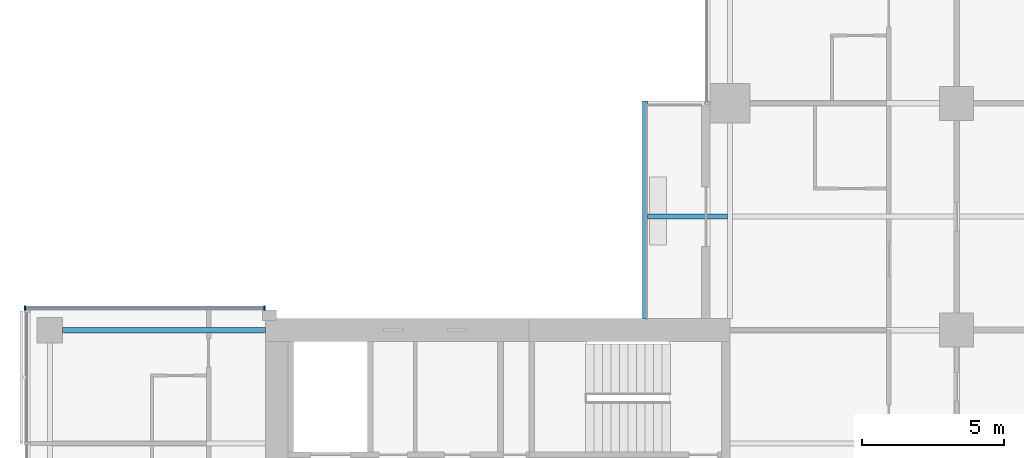
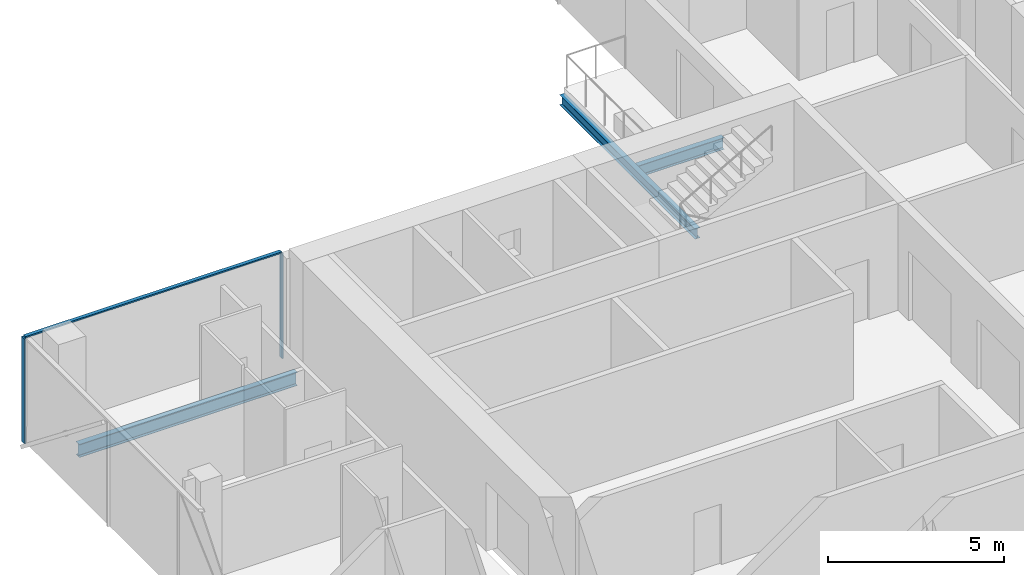
# One storey, part 8 of 29: 3 beams, 3 members, 1 element without a shape of its own.
"""IFC4 building model written with IfcOpenShell, lengths in metres."""

from ifc_helpers import new_model, si_unit, direction, frame, origin, origin_2d, place, context, subcontext, project, spatial, rectangle, i_section, extrude, material, material_profile, profile_set, type_object, element, aggregate, save


model = new_model("IFC4")

# Units and contexts
model_context = context("Model", 3, precision=1e-05, world=origin(), true_north=direction((0.0, 1.0)))
body_context = subcontext(model_context, "Body", "Model", "MODEL_VIEW")
ifc_project = project(units=[si_unit("LENGTHUNIT", "METRE"), si_unit("AREAUNIT", "SQUARE_METRE"), si_unit("VOLUMEUNIT", "CUBIC_METRE"), si_unit("PLANEANGLEUNIT", "RADIAN"), si_unit("MASSUNIT", "GRAM", prefix="KILO")], contexts=[model_context])

# Site, building, storey
site_placement = place(None, origin())
site = spatial("IfcSite", under=ifc_project, at=site_placement, CompositionType="ELEMENT")
building_placement = place(site_placement, origin())
building = spatial("IfcBuilding", under=site, at=building_placement, Name="Crosswind Convention Tower", CompositionType="ELEMENT")
storey_placement = place(building_placement, frame((0.0, 0.0, 60.89990234375)))
storey = spatial("IfcBuildingStorey", under=building, at=storey_placement, Name="L09", CompositionType="ELEMENT", Elevation=60.89990234375)

# Beams
ifc_material_1 = material(Name="Steel S355", Category="steel")
ifc_material_profile_1 = material_profile(ifc_material_1, i_section(OverallWidth=0.177734375, OverallDepth=0.406494140625, WebThickness=0.0078125, FlangeThickness=0.0126953125, FilletRadius=0.01025390625, at=origin_2d()), Name="UB 406x178x60")
ifc_profile_set_1 = profile_set([ifc_material_profile_1], Name="Steel S355")
beam_type_1 = type_object("IfcBeamType", Name="Balcony cantilever UB 406x178x60", PredefinedType="BEAM", material=ifc_profile_set_1)
beam_1_placement = place(storey_placement, frame((112.90478515625, 116.0, -0.483154296875), z_axis=(-1.0, 0.0, 0.0), x_axis=(0.0, -1.0, 0.0)))
element("IfcBeam", 1, at=beam_1_placement, inside=storey, type_object=beam_type_1, Name="B35 L09 balcony cantilever NW 4", PredefinedType="BEAM", context=body_context, shape_type="SweptSolid", body=[
    extrude(i_section(OverallWidth=0.177734375, OverallDepth=0.406494140625, WebThickness=0.0078125, FlangeThickness=0.0126953125, FilletRadius=0.01025390625, at=origin_2d()), origin(), (0.0, 0.0, 1.0), 2.8193359375),
])
ifc_material_profile_2 = material_profile(ifc_material_1, i_section(OverallWidth=0.1708984375, OverallDepth=0.35205078125, WebThickness=0.0068359375, FlangeThickness=0.009765625, FilletRadius=0.01025390625, at=origin_2d()), Name="UB 356x171x45")
ifc_profile_set_2 = profile_set([ifc_material_profile_2], Name="Steel S355")
beam_type_2 = type_object("IfcBeamType", Name="Balcony edge beam UB 356x171x45", PredefinedType="BEAM", material=ifc_profile_set_2)
beam_2_placement = place(storey_placement, frame((110.0, 112.39990234375, -0.455810546875), z_axis=(0.0, 1.0, 0.0), x_axis=(-1.0, 0.0, 0.0)))
element("IfcBeam", 2, at=beam_2_placement, inside=storey, type_object=beam_type_2, Name="B37 L09 balcony edge beam NW 6", PredefinedType="BEAM", context=body_context, shape_type="SweptSolid", body=[
    extrude(i_section(OverallWidth=0.1708984375, OverallDepth=0.35205078125, WebThickness=0.0068359375, FlangeThickness=0.009765625, FilletRadius=0.01025390625, at=origin_2d()), origin(), (0.0, 0.0, 1.0), 7.68896484375),
])
ifc_material_profile_3 = material_profile(ifc_material_1, i_section(OverallWidth=0.1904296875, OverallDepth=0.457275390625, WebThickness=0.009033203125, FlangeThickness=0.014404296875, FilletRadius=0.01025390625, at=origin_2d()), Name="UB 457x191x75")
ifc_profile_set_3 = profile_set([ifc_material_profile_3], Name="Steel S355")
beam_type_3 = type_object("IfcBeamType", Name="Edge beam UB 457x191x75", PredefinedType="SPANDREL", material=ifc_profile_set_3)
beam_3_placement = place(storey_placement, frame((89.449951171875, 112.0, -0.508544921875), z_axis=(1.0, 0.0, 0.0), x_axis=(0.0, 1.0, 0.0)))
element("IfcBeam", 3, at=beam_3_placement, inside=storey, type_object=beam_type_3, Name="B17 L09 edge beam 5", PredefinedType="SPANDREL", context=body_context, shape_type="SweptSolid", body=[
    extrude(i_section(OverallWidth=0.1904296875, OverallDepth=0.457275390625, WebThickness=0.009033203125, FlangeThickness=0.014404296875, FilletRadius=0.01025390625, at=origin_2d()), origin(), (0.0, 0.0, 1.0), 7.150146484375),
])

# Curtain wall, members
ifc_material_2 = material(Name="Aluminium unitised curtain wall", Category="aluminium")
curtain_wall_type = type_object("IfcCurtainWallType", Name="CORE END SLOT WALL 160", PredefinedType="USERDEFINED", material=ifc_material_2)
curtain_wall_placement = place(storey_placement, origin())
curtain_wall = element("IfcCurtainWall", 4, at=curtain_wall_placement, inside=storey, type_object=curtain_wall_type, Name="CW6 L09 W-N.2-1 slot", ObjectType="UNITISED", PredefinedType="USERDEFINED")
ifc_material_3 = material(Name="Aluminium mullion", Category="aluminium")
ifc_material_profile_4 = material_profile(ifc_material_3, rectangle(XDim=0.159912109375, YDim=0.050048828125, at=origin_2d()), Name="AL 160X50")
ifc_profile_set_4 = profile_set([ifc_material_profile_4], Name="Aluminium mullion")
member_type_1 = type_object("IfcMemberType", Name="MULLION 50X160", PredefinedType="MULLION", material=ifc_profile_set_4)
member_1_placement = place(storey_placement, frame((96.574951171875, 112.780029296875, -0.27978515625), z_axis=(0.0, 0.0, 1.0), x_axis=(0.0, 1.0, 0.0)))
member_1 = element("IfcMember", 5, at=member_1_placement, type_object=member_type_1, Name="CW6 mullion 1", PredefinedType="MULLION", context=body_context, shape_type="SweptSolid", body=[
    extrude(rectangle(XDim=0.159912109375, YDim=0.050048828125, at=origin_2d()), origin(), (0.0, 0.0, 1.0), 3.64990234375),
])
member_2_placement = place(storey_placement, frame((88.125, 112.780029296875, -0.27978515625), z_axis=(0.0, 0.0, 1.0), x_axis=(0.0, 1.0, 0.0)))
member_2 = element("IfcMember", 6, at=member_2_placement, type_object=member_type_1, Name="CW6 mullion 2", PredefinedType="MULLION", context=body_context, shape_type="SweptSolid", body=[
    extrude(rectangle(XDim=0.159912109375, YDim=0.050048828125, at=origin_2d()), origin(), (0.0, 0.0, 1.0), 3.64990234375),
])
ifc_material_4 = material(Name="Aluminium transom", Category="aluminium")
ifc_material_profile_5 = material_profile(ifc_material_4, rectangle(XDim=0.1201171875, YDim=0.050048828125, at=origin_2d()), Name="AL 120X50")
ifc_profile_set_5 = profile_set([ifc_material_profile_5], Name="Aluminium transom")
member_type_2 = type_object("IfcMemberType", Name="TRANSOM 50X120", PredefinedType="USERDEFINED", material=ifc_profile_set_5)
member_3_placement = place(storey_placement, frame((96.550048828125, 112.780029296875, 3.39501953125), z_axis=(-1.0, 0.0, 0.0), x_axis=(0.0, -1.0, 0.0)))
member_3 = element("IfcMember", 7, at=member_3_placement, type_object=member_type_2, Name="CW6 transom", ObjectType="TRANSOM", PredefinedType="USERDEFINED", context=body_context, shape_type="SweptSolid", body=[
    extrude(rectangle(XDim=0.1201171875, YDim=0.050048828125, at=origin_2d()), origin(), (0.0, 0.0, 1.0), 8.400146484375),
])
aggregate(curtain_wall, [member_1, member_2, member_3])

save(model, "model.ifc")
